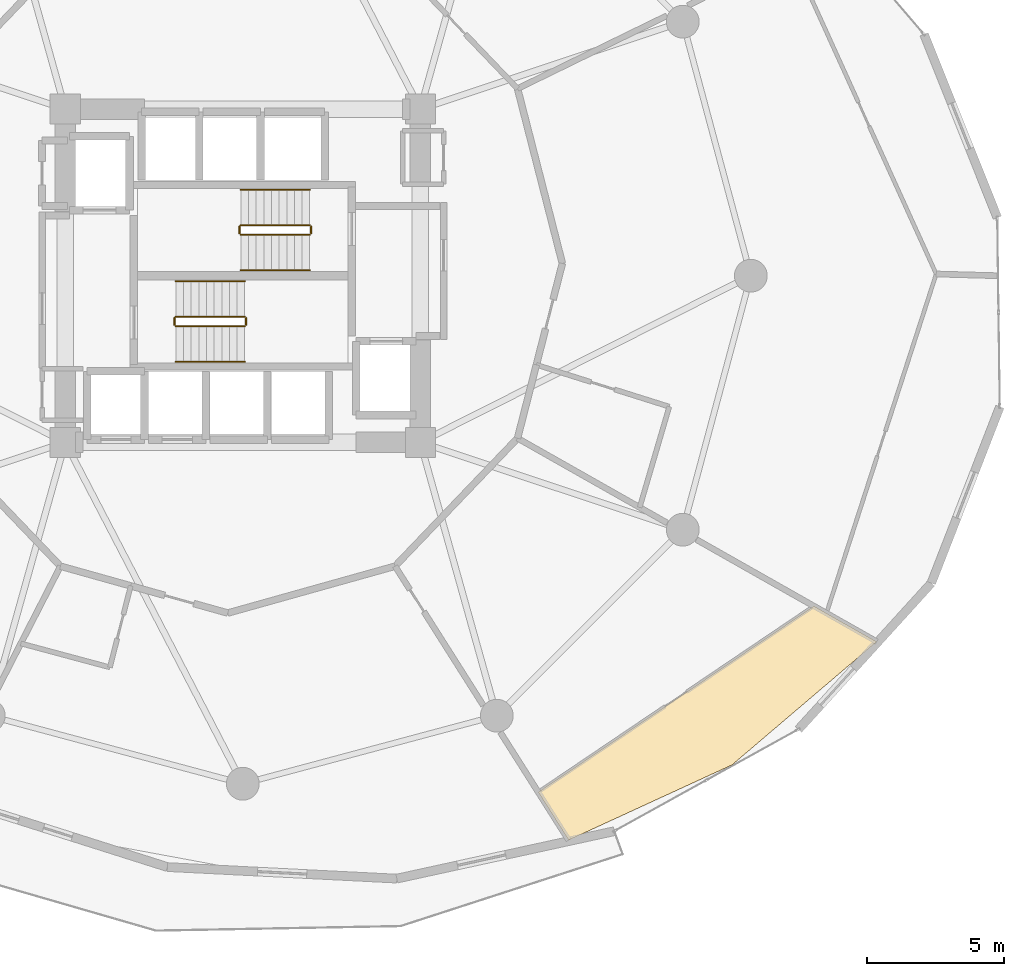
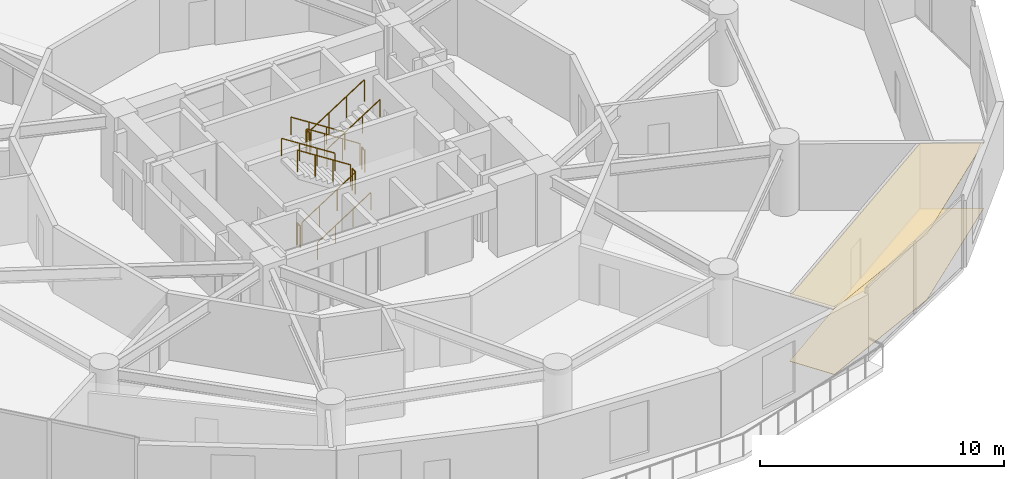
# One storey, part 22 of 23: 12 railings, 2 coverings.
"""IFC4 building model written with IfcOpenShell, lengths in metres."""

from ifc_helpers import new_model, si_unit, direction, frame, origin, origin_2d, place, context, subcontext, project, spatial, polyline, circle, outline, extrude, material, layer, layer_set, type_object, element, save


model = new_model("IFC4")

# Units and contexts
model_context = context("Model", 3, precision=1e-05, world=origin(), true_north=direction((0.0, 1.0)))
body_context = subcontext(model_context, "Body", "Model", "MODEL_VIEW")
ifc_project = project(units=[si_unit("LENGTHUNIT", "METRE"), si_unit("AREAUNIT", "SQUARE_METRE"), si_unit("VOLUMEUNIT", "CUBIC_METRE"), si_unit("PLANEANGLEUNIT", "RADIAN"), si_unit("MASSUNIT", "GRAM", prefix="KILO")], contexts=[model_context])

# Site, building, storey
site_placement = place(None, origin())
site = spatial("IfcSite", under=ifc_project, at=site_placement, CompositionType="ELEMENT")
building_placement = place(site_placement, origin())
building = spatial("IfcBuilding", under=site, at=building_placement, Name="Solvirekh Grand Hotel", CompositionType="ELEMENT")
storey_placement = place(building_placement, frame((0.0, 0.0, 46.39990234375)))
storey = spatial("IfcBuildingStorey", under=building, at=storey_placement, Name="L10", CompositionType="ELEMENT", Elevation=46.39990234375)

# Coverings
ifc_material_1 = material(Name="Acoustic Mineral Ceiling Tile")
ifc_layer_1 = layer(ifc_material_1, 0.02490234375)
ifc_layer_set_1 = layer_set([ifc_layer_1], Name="Acoustic Mineral Ceiling Tile")
covering_type_1 = type_object("IfcCoveringType", Name="Cov_Ceiling_Acoustic", PredefinedType="CEILING", material=ifc_layer_set_1)
covering_1_placement = place(storey_placement, frame((0.0, 0.0, 3.2900390625)))
element("IfcCovering", 1, at=covering_1_placement, inside=storey, type_object=covering_type_1, Name="L10 Diplomatic Suite 1203 Master Bedroom acoustic ceiling", PredefinedType="CEILING", context=body_context, shape_type="SweptSolid", body=[
    extrude(outline(polyline([(11.928955078125, -20.662109375), (17.910888671875, -17.910888671875), (23.208984375, -13.39990234375), (20.907958984375, -12.095947265625), (10.81689453125, -18.906982421875), (11.928955078125, -20.662109375)])), origin(), (0.0, 0.0, 1.0), 0.01806640625),
])
ifc_material_2 = material(Name="Porcelain Stoneware Flooring", Category="masonry")
ifc_layer_2 = layer(ifc_material_2, 0.030029296875)
ifc_layer_set_2 = layer_set([ifc_layer_2], Name="Porcelain Stoneware Flooring")
covering_type_2 = type_object("IfcCoveringType", Name="Cov_Floor_Stone", PredefinedType="FLOORING", material=ifc_layer_set_2)
covering_2_placement = place(storey_placement, origin())
element("IfcCovering", 2, at=covering_2_placement, inside=storey, type_object=covering_type_2, Name="L10 Diplomatic Suite 1203 Master Bedroom polished granite flooring", PredefinedType="FLOORING", context=body_context, shape_type="SweptSolid", body=[
    extrude(outline(polyline([(11.928955078125, -20.662109375), (17.910888671875, -17.910888671875), (23.208984375, -13.39990234375), (20.907958984375, -12.095947265625), (10.81689453125, -18.906982421875), (11.928955078125, -20.662109375)])), origin(), (0.0, 0.0, 1.0), 0.02001953125),
])

# Railings
ifc_material_3 = material(Name="Steel S355", Category="steel")
railing_type_1 = type_object("IfcRailingType", Name="Guard_Stair_1100", PredefinedType="GUARDRAIL", material=ifc_material_3)
railing_1_placement = place(storey_placement, frame((-2.449951171875, -1.85009765625, 0.18017578125)))
element("IfcRailing", 3, at=railing_1_placement, inside=storey, type_object=railing_type_1, Name="L10 ST-1 stair guard 1", PredefinedType="GUARDRAIL", context=body_context, shape_type="SweptSolid", body=[
    extrude(circle(Radius=0.02392578125, at=origin_2d()), frame((0.0, 0.0, 1.076171875), z_axis=(0.841199657755, 0.0, 0.540724639528), x_axis=(0.0, 1.0, 0.0)), (0.0, 0.0, 1.0), 2.995849609375),
    extrude(circle(Radius=0.02099609375, at=origin_2d()), origin(), (0.0, 0.0, 1.0), 1.052001953125),
    extrude(circle(Radius=0.02099609375, at=origin_2d()), frame((0.840087890625, 0.0, 0.5400390625)), (0.0, 0.0, 1.0), 1.052001953125),
    extrude(circle(Radius=0.02099609375, at=origin_2d()), frame((1.679931640625, 0.0, 1.079833984375)), (0.0, 0.0, 1.0), 1.052001953125),
    extrude(circle(Radius=0.02099609375, at=origin_2d()), frame((2.52001953125, 0.0, 1.619873046875)), (0.0, 0.0, 1.0), 1.052001953125),
])
railing_2_placement = place(storey_placement, frame((0.1201171875, -1.800048828125, 1.800048828125)))
element("IfcRailing", 4, at=railing_2_placement, inside=storey, type_object=railing_type_1, Name="L10 ST-1 stair guard 2", PredefinedType="GUARDRAIL", context=body_context, shape_type="SweptSolid", body=[
    extrude(circle(Radius=0.02392578125, at=origin_2d()), frame((0.0, 0.0, 1.076171875), z_axis=(0.0, 1.0, 0.0), x_axis=(-1.0, 0.0, 0.0)), (0.0, 0.0, 1.0), 0.25),
    extrude(circle(Radius=0.02099609375, at=origin_2d()), origin(), (0.0, 0.0, 1.0), 1.052001953125),
    extrude(circle(Radius=0.02099609375, at=origin_2d()), frame((0.0, 0.25, 0.0)), (0.0, 0.0, 1.0), 1.052001953125),
])
railing_3_placement = place(storey_placement, frame((0.070068359375, -1.5, 1.97998046875)))
element("IfcRailing", 5, at=railing_3_placement, inside=storey, type_object=railing_type_1, Name="L10 ST-1 stair guard 3", PredefinedType="GUARDRAIL", context=body_context, shape_type="SweptSolid", body=[
    extrude(circle(Radius=0.02392578125, at=origin_2d()), frame((0.0, 0.0, 1.076171875), z_axis=(-0.841162588446, 0.0, 0.540782303519), x_axis=(0.0, -1.0, 0.0)), (0.0, 0.0, 1.0), 2.995849609375),
    extrude(circle(Radius=0.02099609375, at=origin_2d()), origin(), (0.0, 0.0, 1.0), 1.052001953125),
    extrude(circle(Radius=0.02099609375, at=origin_2d()), frame((-0.840087890625, 0.0, 0.5400390625)), (0.0, 0.0, 1.0), 1.052001953125),
    extrude(circle(Radius=0.02099609375, at=origin_2d()), frame((-1.679931640625, 0.0, 1.080078125)), (0.0, 0.0, 1.0), 1.052001953125),
    extrude(circle(Radius=0.02099609375, at=origin_2d()), frame((-2.52001953125, 0.0, 1.6201171875)), (0.0, 0.0, 1.0), 1.052001953125),
])
railing_4_placement = place(storey_placement, frame((-2.5, -1.800048828125, 0.0)))
element("IfcRailing", 6, at=railing_4_placement, inside=storey, type_object=railing_type_1, Name="L10 ST-1 stair guard 4", PredefinedType="GUARDRAIL", context=body_context, shape_type="SweptSolid", body=[
    extrude(circle(Radius=0.02392578125, at=origin_2d()), frame((0.0, 0.0, 1.076171875), z_axis=(0.0, 1.0, 0.0), x_axis=(-1.0, 0.0, 0.0)), (0.0, 0.0, 1.0), 0.25),
    extrude(circle(Radius=0.02099609375, at=origin_2d()), origin(), (0.0, 0.0, 1.0), 1.052001953125),
    extrude(circle(Radius=0.02099609375, at=origin_2d()), frame((0.0, 0.25, 0.0)), (0.0, 0.0, 1.0), 1.052001953125),
])
railing_5_placement = place(storey_placement, frame((2.449951171875, 1.85009765625, 0.18017578125)))
element("IfcRailing", 7, at=railing_5_placement, inside=storey, type_object=railing_type_1, Name="L10 ST-2 stair guard 1", PredefinedType="GUARDRAIL", context=body_context, shape_type="SweptSolid", body=[
    extrude(circle(Radius=0.02392578125, at=origin_2d()), frame((0.0, 0.0, 1.076171875), z_axis=(-0.841199657755, 0.0, 0.540724639528), x_axis=(0.0, -1.0, 0.0)), (0.0, 0.0, 1.0), 2.995849609375),
    extrude(circle(Radius=0.02099609375, at=origin_2d()), origin(), (0.0, 0.0, 1.0), 1.052001953125),
    extrude(circle(Radius=0.02099609375, at=origin_2d()), frame((-0.840087890625, 0.0, 0.5400390625)), (0.0, 0.0, 1.0), 1.052001953125),
    extrude(circle(Radius=0.02099609375, at=origin_2d()), frame((-1.679931640625, 0.0, 1.079833984375)), (0.0, 0.0, 1.0), 1.052001953125),
    extrude(circle(Radius=0.02099609375, at=origin_2d()), frame((-2.52001953125, 0.0, 1.619873046875)), (0.0, 0.0, 1.0), 1.052001953125),
])
railing_6_placement = place(storey_placement, frame((-0.1201171875, 1.800048828125, 1.800048828125)))
element("IfcRailing", 8, at=railing_6_placement, inside=storey, type_object=railing_type_1, Name="L10 ST-2 stair guard 2", PredefinedType="GUARDRAIL", context=body_context, shape_type="SweptSolid", body=[
    extrude(circle(Radius=0.02392578125, at=origin_2d()), frame((0.0, 0.0, 1.076171875), z_axis=(0.0, -1.0, 0.0), x_axis=(1.0, 0.0, 0.0)), (0.0, 0.0, 1.0), 0.25),
    extrude(circle(Radius=0.02099609375, at=origin_2d()), origin(), (0.0, 0.0, 1.0), 1.052001953125),
    extrude(circle(Radius=0.02099609375, at=origin_2d()), frame((0.0, -0.25, 0.0)), (0.0, 0.0, 1.0), 1.052001953125),
])
railing_7_placement = place(storey_placement, frame((-0.070068359375, 1.5, 1.97998046875)))
element("IfcRailing", 9, at=railing_7_placement, inside=storey, type_object=railing_type_1, Name="L10 ST-2 stair guard 3", PredefinedType="GUARDRAIL", context=body_context, shape_type="SweptSolid", body=[
    extrude(circle(Radius=0.02392578125, at=origin_2d()), frame((0.0, 0.0, 1.076171875), z_axis=(0.841162588446, 0.0, 0.540782303519), x_axis=(0.0, 1.0, 0.0)), (0.0, 0.0, 1.0), 2.995849609375),
    extrude(circle(Radius=0.02099609375, at=origin_2d()), origin(), (0.0, 0.0, 1.0), 1.052001953125),
    extrude(circle(Radius=0.02099609375, at=origin_2d()), frame((0.840087890625, 0.0, 0.5400390625)), (0.0, 0.0, 1.0), 1.052001953125),
    extrude(circle(Radius=0.02099609375, at=origin_2d()), frame((1.679931640625, 0.0, 1.080078125)), (0.0, 0.0, 1.0), 1.052001953125),
    extrude(circle(Radius=0.02099609375, at=origin_2d()), frame((2.52001953125, 0.0, 1.6201171875)), (0.0, 0.0, 1.0), 1.052001953125),
])
railing_8_placement = place(storey_placement, frame((2.5, 1.800048828125, 0.0)))
element("IfcRailing", 10, at=railing_8_placement, inside=storey, type_object=railing_type_1, Name="L10 ST-2 stair guard 4", PredefinedType="GUARDRAIL", context=body_context, shape_type="SweptSolid", body=[
    extrude(circle(Radius=0.02392578125, at=origin_2d()), frame((0.0, 0.0, 1.076171875), z_axis=(0.0, -1.0, 0.0), x_axis=(1.0, 0.0, 0.0)), (0.0, 0.0, 1.0), 0.25),
    extrude(circle(Radius=0.02099609375, at=origin_2d()), origin(), (0.0, 0.0, 1.0), 1.052001953125),
    extrude(circle(Radius=0.02099609375, at=origin_2d()), frame((0.0, -0.25, 0.0)), (0.0, 0.0, 1.0), 1.052001953125),
])
ifc_material_4 = material(Name="Anodized Bronze Aluminium 6063-T6", Category="aluminium")
railing_type_2 = type_object("IfcRailingType", Name="Handrail_Wall_900", PredefinedType="HANDRAIL", material=ifc_material_4)
railing_9_placement = place(storey_placement, frame((-2.449951171875, -3.14990234375, 0.18017578125)))
element("IfcRailing", 11, at=railing_9_placement, inside=storey, type_object=railing_type_2, Name="L10 ST-1 stair handrail 1", PredefinedType="HANDRAIL", context=body_context, shape_type="SweptSolid", body=[
    extrude(circle(Radius=0.02392578125, at=origin_2d()), frame((0.0, 0.0, 0.8759765625), z_axis=(0.841199657755, 0.0, 0.540724639528), x_axis=(0.0, 1.0, 0.0)), (0.0, 0.0, 1.0), 2.995849609375),
    extrude(circle(Radius=0.02099609375, at=origin_2d()), origin(), (0.0, 0.0, 1.0), 0.851806640625),
    extrude(circle(Radius=0.02099609375, at=origin_2d()), frame((0.840087890625, 0.0, 0.5400390625)), (0.0, 0.0, 1.0), 0.851806640625),
    extrude(circle(Radius=0.02099609375, at=origin_2d()), frame((1.679931640625, 0.0, 1.079833984375)), (0.0, 0.0, 1.0), 0.851806640625),
    extrude(circle(Radius=0.02099609375, at=origin_2d()), frame((2.52001953125, 0.0, 1.619873046875)), (0.0, 0.0, 1.0), 0.851806640625),
])
railing_10_placement = place(storey_placement, frame((0.070068359375, -0.199951171875, 1.97998046875)))
element("IfcRailing", 12, at=railing_10_placement, inside=storey, type_object=railing_type_2, Name="L10 ST-1 stair handrail 2", PredefinedType="HANDRAIL", context=body_context, shape_type="SweptSolid", body=[
    extrude(circle(Radius=0.02392578125, at=origin_2d()), frame((0.0, 0.0, 0.8759765625), z_axis=(-0.841162588446, 0.0, 0.540782303519), x_axis=(0.0, -1.0, 0.0)), (0.0, 0.0, 1.0), 2.995849609375),
    extrude(circle(Radius=0.02099609375, at=origin_2d()), origin(), (0.0, 0.0, 1.0), 0.851806640625),
    extrude(circle(Radius=0.02099609375, at=origin_2d()), frame((-0.840087890625, 0.0, 0.5400390625)), (0.0, 0.0, 1.0), 0.851806640625),
    extrude(circle(Radius=0.02099609375, at=origin_2d()), frame((-1.679931640625, 0.0, 1.080078125)), (0.0, 0.0, 1.0), 0.851806640625),
    extrude(circle(Radius=0.02099609375, at=origin_2d()), frame((-2.52001953125, 0.0, 1.6201171875)), (0.0, 0.0, 1.0), 0.851806640625),
])
railing_11_placement = place(storey_placement, frame((2.449951171875, 3.14990234375, 0.18017578125)))
element("IfcRailing", 13, at=railing_11_placement, inside=storey, type_object=railing_type_2, Name="L10 ST-2 stair handrail 1", PredefinedType="HANDRAIL", context=body_context, shape_type="SweptSolid", body=[
    extrude(circle(Radius=0.02392578125, at=origin_2d()), frame((0.0, 0.0, 0.8759765625), z_axis=(-0.841199657755, 0.0, 0.540724639528), x_axis=(0.0, -1.0, 0.0)), (0.0, 0.0, 1.0), 2.995849609375),
    extrude(circle(Radius=0.02099609375, at=origin_2d()), origin(), (0.0, 0.0, 1.0), 0.851806640625),
    extrude(circle(Radius=0.02099609375, at=origin_2d()), frame((-0.840087890625, 0.0, 0.5400390625)), (0.0, 0.0, 1.0), 0.851806640625),
    extrude(circle(Radius=0.02099609375, at=origin_2d()), frame((-1.679931640625, 0.0, 1.079833984375)), (0.0, 0.0, 1.0), 0.851806640625),
    extrude(circle(Radius=0.02099609375, at=origin_2d()), frame((-2.52001953125, 0.0, 1.619873046875)), (0.0, 0.0, 1.0), 0.851806640625),
])
railing_12_placement = place(storey_placement, frame((-0.070068359375, 0.199951171875, 1.97998046875)))
element("IfcRailing", 14, at=railing_12_placement, inside=storey, type_object=railing_type_2, Name="L10 ST-2 stair handrail 2", PredefinedType="HANDRAIL", context=body_context, shape_type="SweptSolid", body=[
    extrude(circle(Radius=0.02392578125, at=origin_2d()), frame((0.0, 0.0, 0.8759765625), z_axis=(0.841162588446, 0.0, 0.540782303519), x_axis=(0.0, 1.0, 0.0)), (0.0, 0.0, 1.0), 2.995849609375),
    extrude(circle(Radius=0.02099609375, at=origin_2d()), origin(), (0.0, 0.0, 1.0), 0.851806640625),
    extrude(circle(Radius=0.02099609375, at=origin_2d()), frame((0.840087890625, 0.0, 0.5400390625)), (0.0, 0.0, 1.0), 0.851806640625),
    extrude(circle(Radius=0.02099609375, at=origin_2d()), frame((1.679931640625, 0.0, 1.080078125)), (0.0, 0.0, 1.0), 0.851806640625),
    extrude(circle(Radius=0.02099609375, at=origin_2d()), frame((2.52001953125, 0.0, 1.6201171875)), (0.0, 0.0, 1.0), 0.851806640625),
])

save(model, "model.ifc")
